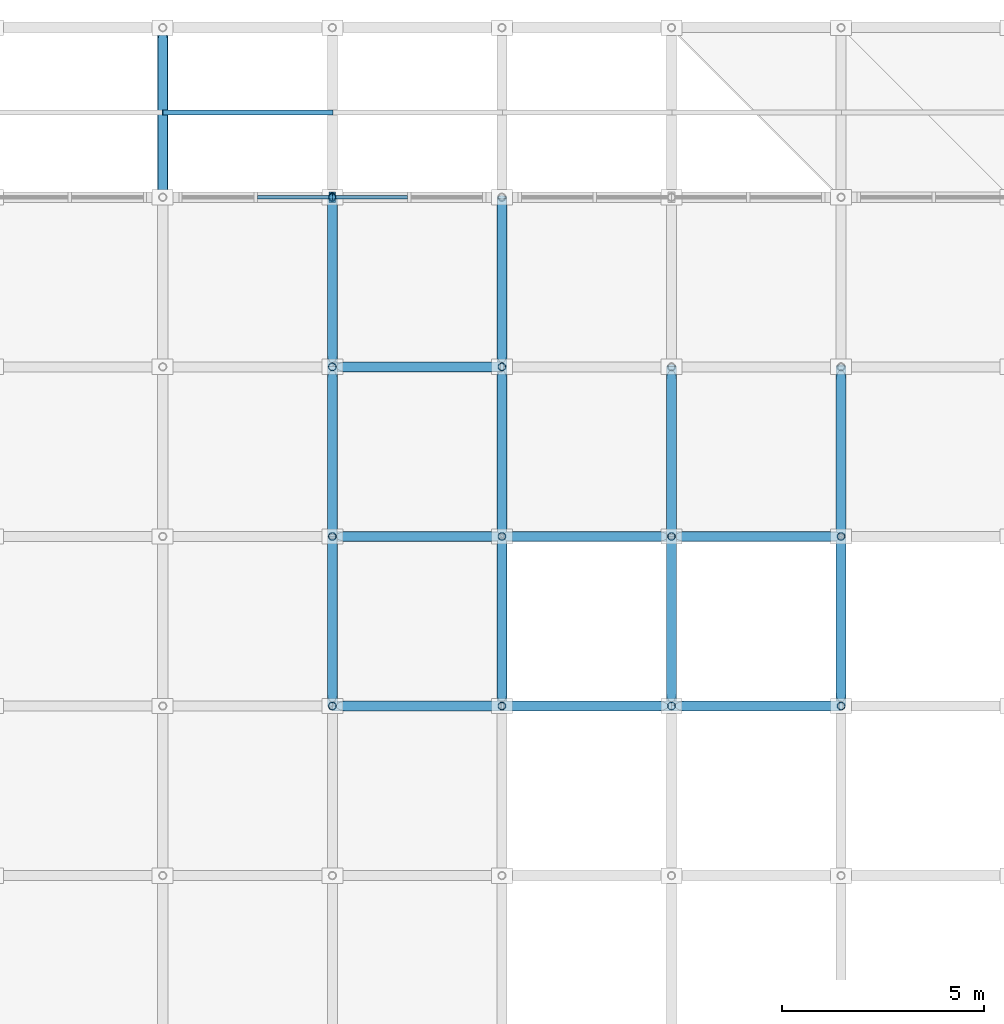
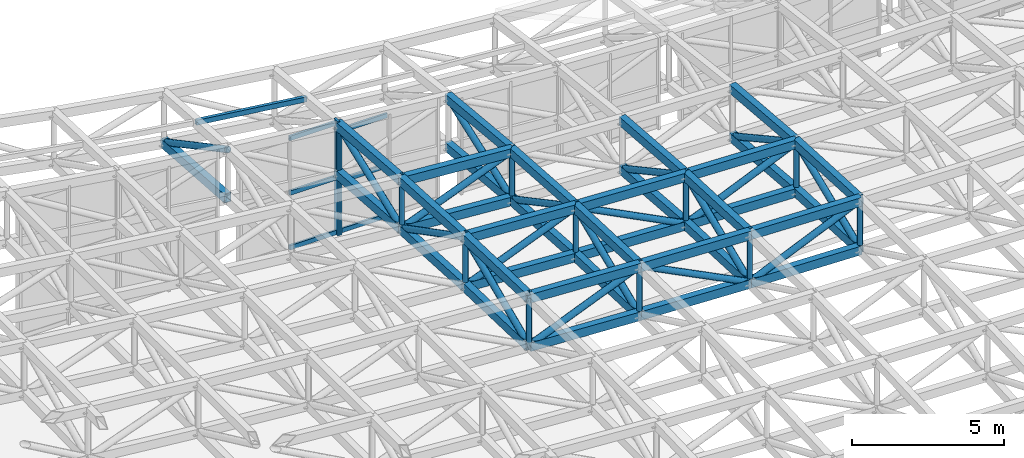
# One storey, part 35 of 111: 73 members, 2 elements without a shape of their own.
"""IFC4 building model written with IfcOpenShell, lengths in metres."""

from ifc_helpers import new_model, si_unit, direction, frame, origin, origin_2d, place, context, subcontext, project, spatial, rectangle, hollow_rectangle, hollow_circle, extrude, material, material_profile, profile_set, type_object, element, aggregate, save


model = new_model("IFC4")

# Units and contexts
model_context = context("Model", 3, precision=1e-05, world=origin(), true_north=direction((0.0, 1.0)))
body_context = subcontext(model_context, "Body", "Model", "MODEL_VIEW")
ifc_project = project(units=[si_unit("LENGTHUNIT", "METRE"), si_unit("AREAUNIT", "SQUARE_METRE"), si_unit("VOLUMEUNIT", "CUBIC_METRE"), si_unit("PLANEANGLEUNIT", "RADIAN"), si_unit("MASSUNIT", "GRAM", prefix="KILO")], contexts=[model_context])

# Site, building, storey
site_placement = place(None, origin())
site = spatial("IfcSite", under=ifc_project, at=site_placement, CompositionType="ELEMENT")
building_placement = place(site_placement, origin())
building = spatial("IfcBuilding", under=site, at=building_placement, Name="Cumbredor Promenade Congress Hotel", CompositionType="ELEMENT")
storey_placement = place(building_placement, frame((0.0, 0.0, 15.1201171875)))
storey = spatial("IfcBuildingStorey", under=building, at=storey_placement, Name="L04", CompositionType="ELEMENT", Elevation=15.1201171875)

# Curtain wall, member
ifc_material_1 = material(Name="Thermally broken anodized aluminium and low-E glass", Category="aluminium")
curtain_wall_type = type_object("IfcCurtainWallType", Name="Stepped Pavilion Clerestory Curtain Wall CW-06", PredefinedType="NOTDEFINED", material=ifc_material_1)
curtain_wall_1_placement = place(storey_placement, origin())
curtain_wall_1 = element("IfcCurtainWall", 1, at=curtain_wall_1_placement, inside=storey, type_object=curtain_wall_type, Name="Pre-Function and Breakout Meeting Forum N Glazed Clerestory 5", PredefinedType="NOTDEFINED")
ifc_material_2 = material(Name="Thermally broken anodized aluminium", Category="aluminium")
ifc_material_profile_1 = material_profile(ifc_material_2, rectangle(XDim=0.0849609375, YDim=0.260009765625, at=origin_2d()), Name="ALU MULLION CLERESTORY 85x260")
ifc_profile_set_1 = profile_set([ifc_material_profile_1], Name="Thermally broken anodized aluminium")
member_type_1 = type_object("IfcMemberType", Name="Curtain Wall Mullion ML-04", PredefinedType="MULLION", material=ifc_profile_set_1)
member_1_placement = place(storey_placement, frame((113.360107421875, 117.60009765625, -0.01806640625), z_axis=(0.0, 0.0, 1.0), x_axis=(1.0, 0.0, 0.0)))
member_1 = element("IfcMember", 2, at=member_1_placement, type_object=member_type_1, Name="Pre-Function and Breakout Meeting Forum N Glazed Clerestory 5 Mullion 3", PredefinedType="MULLION", context=body_context, shape_type="SweptSolid", body=[
    extrude(rectangle(XDim=0.0849609375, YDim=0.260009765625, at=origin_2d()), origin(), (0.0, 0.0, 1.0), 4.600830078125),
])

curtain_wall_2_placement = place(storey_placement, origin())
curtain_wall_2 = element("IfcCurtainWall", 3, at=curtain_wall_2_placement, inside=storey, type_object=curtain_wall_type, Name="Pre-Function and Breakout Meeting Forum N Glazed Clerestory 6", PredefinedType="NOTDEFINED")
member_2_placement = place(storey_placement, frame((113.43994140625, 117.60009765625, -0.01806640625), z_axis=(0.0, 0.0, 1.0), x_axis=(1.0, 0.0, 0.0)))
member_2 = element("IfcMember", 4, at=member_2_placement, type_object=member_type_1, Name="Pre-Function and Breakout Meeting Forum N Glazed Clerestory 6 Mullion 1", PredefinedType="MULLION", context=body_context, shape_type="SweptSolid", body=[
    extrude(rectangle(XDim=0.0849609375, YDim=0.260009765625, at=origin_2d()), origin(), (0.0, 0.0, 1.0), 4.221435546875),
])

# Member
ifc_material_profile_2 = material_profile(ifc_material_2, rectangle(XDim=0.080078125, YDim=0.179931640625, at=origin_2d()), Name="ALU TRANSOM 80x180")
ifc_profile_set_2 = profile_set([ifc_material_profile_2], Name="Thermally broken anodized aluminium")
member_type_2 = type_object("IfcMemberType", Name="Curtain Wall Transom TR-03", PredefinedType="USERDEFINED", material=ifc_profile_set_2)
member_3_placement = place(storey_placement, frame((111.54248046875, 117.60009765625, 0.079833984375), z_axis=(1.0, 0.0, 0.0), x_axis=(0.0, 1.0, 0.0)))
member_3 = element("IfcMember", 5, at=member_3_placement, type_object=member_type_2, Name="Pre-Function and Breakout Meeting Forum N Glazed Clerestory 5 Transom 2.1", ObjectType="TRANSOM", PredefinedType="USERDEFINED", context=body_context, shape_type="SweptSolid", body=[
    extrude(rectangle(XDim=0.080078125, YDim=0.179931640625, at=origin_2d()), origin(), (0.0, 0.0, 1.0), 1.77490234375),
])

member_4_placement = place(storey_placement, frame((111.54248046875, 117.60009765625, 2.27978515625), z_axis=(1.0, 0.0, 0.0), x_axis=(0.0, 1.0, 0.0)))
member_4 = element("IfcMember", 6, at=member_4_placement, type_object=member_type_2, Name="Pre-Function and Breakout Meeting Forum N Glazed Clerestory 5 Transom 2.2", ObjectType="TRANSOM", PredefinedType="USERDEFINED", context=body_context, shape_type="SweptSolid", body=[
    extrude(rectangle(XDim=0.080078125, YDim=0.179931640625, at=origin_2d()), origin(), (0.0, 0.0, 1.0), 1.77490234375),
])

member_5_placement = place(storey_placement, frame((111.54248046875, 117.60009765625, 4.47998046875), z_axis=(1.0, 0.0, 0.0), x_axis=(0.0, 1.0, 0.0)))
member_5 = element("IfcMember", 7, at=member_5_placement, type_object=member_type_2, Name="Pre-Function and Breakout Meeting Forum N Glazed Clerestory 5 Transom 2.3", ObjectType="TRANSOM", PredefinedType="USERDEFINED", context=body_context, shape_type="SweptSolid", body=[
    extrude(rectangle(XDim=0.080078125, YDim=0.179931640625, at=origin_2d()), origin(), (0.0, 0.0, 1.0), 1.77490234375),
])

aggregate(curtain_wall_1, [member_1, member_3, member_4, member_5])

member_6_placement = place(storey_placement, frame((113.482421875, 117.60009765625, 0.079833984375), z_axis=(1.0, 0.0, 0.0), x_axis=(0.0, 1.0, 0.0)))
member_6 = element("IfcMember", 8, at=member_6_placement, type_object=member_type_2, Name="Pre-Function and Breakout Meeting Forum N Glazed Clerestory 6 Transom 1.1", ObjectType="TRANSOM", PredefinedType="USERDEFINED", context=body_context, shape_type="SweptSolid", body=[
    extrude(rectangle(XDim=0.080078125, YDim=0.179931640625, at=origin_2d()), origin(), (0.0, 0.0, 1.0), 1.775146484375),
])

member_7_placement = place(storey_placement, frame((113.482421875, 117.60009765625, 2.08984375), z_axis=(1.0, 0.0, 0.0), x_axis=(0.0, 1.0, 0.0)))
member_7 = element("IfcMember", 9, at=member_7_placement, type_object=member_type_2, Name="Pre-Function and Breakout Meeting Forum N Glazed Clerestory 6 Transom 1.2", ObjectType="TRANSOM", PredefinedType="USERDEFINED", context=body_context, shape_type="SweptSolid", body=[
    extrude(rectangle(XDim=0.080078125, YDim=0.179931640625, at=origin_2d()), origin(), (0.0, 0.0, 1.0), 1.775146484375),
])

member_8_placement = place(storey_placement, frame((113.482421875, 117.60009765625, 4.10986328125), z_axis=(1.0, 0.0, 0.0), x_axis=(0.0, 1.0, 0.0)))
member_8 = element("IfcMember", 10, at=member_8_placement, type_object=member_type_2, Name="Pre-Function and Breakout Meeting Forum N Glazed Clerestory 6 Transom 1.3", ObjectType="TRANSOM", PredefinedType="USERDEFINED", context=body_context, shape_type="SweptSolid", body=[
    extrude(rectangle(XDim=0.080078125, YDim=0.179931640625, at=origin_2d()), origin(), (0.0, 0.0, 1.0), 1.775146484375),
])

aggregate(curtain_wall_2, [member_2, member_6, member_7, member_8])

# Members
ifc_material_3 = material(Name="Steel ASTM A500 Grade C", Category="steel")
ifc_material_profile_3 = material_profile(ifc_material_3, hollow_rectangle(XDim=0.25, YDim=0.35009765625, WallThickness=0.01611328125, at=origin_2d()), Name="HSS 350x250x16")
ifc_profile_set_3 = profile_set([ifc_material_profile_3], Name="Steel ASTM A500 Grade C")
member_type_3 = type_object("IfcMemberType", Name="Forum Roof Truss Chord", PredefinedType="CHORD", material=ifc_profile_set_3)
for number, where, z_axis, x_axis, name in (
    (11, (113.39990234375, 105.0, 5.078369140625), (0.998643525423, 0.0, -0.052068312154), (0.0, 1.0, 0.0), "Pre-Function and Breakout Meeting Forum X Top Chord 7.7"),
    (12, (113.39990234375, 105.0, 3.12841796875), (0.998643525423, 0.0, -0.052068312154), (0.0, 1.0, 0.0), "Pre-Function and Breakout Meeting Forum X Bottom Chord 7.7"),
):
    element("IfcMember", number, at=place(storey_placement, frame(where, z_axis=z_axis, x_axis=x_axis)), inside=storey, type_object=member_type_3, Name=name, PredefinedType="CHORD", context=body_context, shape_type="SweptSolid", body=[
        extrude(hollow_rectangle(XDim=0.25, YDim=0.35009765625, WallThickness=0.01611328125, at=origin_2d()), origin(), (0.0, 0.0, 1.0), 4.205810546875),
    ])
for number, where, z_axis, x_axis, name in (
    (13, (117.60009765625, 105.0, 4.859375), (0.999182576071, 0.0, -0.040424988255), (0.0, 1.0, 0.0), "Pre-Function and Breakout Meeting Forum X Top Chord 8.7"),
    (14, (117.60009765625, 105.0, 2.909423828125), (0.999182576071, 0.0, -0.040424988255), (0.0, 1.0, 0.0), "Pre-Function and Breakout Meeting Forum X Bottom Chord 8.7"),
):
    element("IfcMember", number, at=place(storey_placement, frame(where, z_axis=z_axis, x_axis=x_axis)), inside=storey, type_object=member_type_3, Name=name, PredefinedType="CHORD", context=body_context, shape_type="SweptSolid", body=[
        extrude(hollow_rectangle(XDim=0.25, YDim=0.35009765625, WallThickness=0.01611328125, at=origin_2d()), origin(), (0.0, 0.0, 1.0), 4.203369140625),
    ])
for number, where, z_axis, x_axis, name in (
    (15, (121.800048828125, 105.0, 4.689453125), (0.999579574773, 0.0, -0.028994373529), (0.0, 1.0, 0.0), "Pre-Function and Breakout Meeting Forum X Top Chord 9.7"),
    (16, (121.800048828125, 105.0, 2.739501953125), (0.999579574773, 0.0, -0.028994373529), (0.0, 1.0, 0.0), "Pre-Function and Breakout Meeting Forum X Bottom Chord 9.7"),
):
    element("IfcMember", number, at=place(storey_placement, frame(where, z_axis=z_axis, x_axis=x_axis)), inside=storey, type_object=member_type_3, Name=name, PredefinedType="CHORD", context=body_context, shape_type="SweptSolid", body=[
        extrude(hollow_rectangle(XDim=0.25, YDim=0.35009765625, WallThickness=0.01611328125, at=origin_2d()), origin(), (0.0, 0.0, 1.0), 4.20166015625),
    ])
for number, where, z_axis, x_axis, name in (
    (17, (113.39990234375, 109.199951171875, 4.93896484375), (0.998219523348, 0.0, -0.059647155894), (0.0, 1.0, 0.0), "Pre-Function and Breakout Meeting Forum X Top Chord 7.8"),
    (18, (113.39990234375, 109.199951171875, 2.989013671875), (0.998219523348, 0.0, -0.059647155894), (0.0, 1.0, 0.0), "Pre-Function and Breakout Meeting Forum X Bottom Chord 7.8"),
):
    element("IfcMember", number, at=place(storey_placement, frame(where, z_axis=z_axis, x_axis=x_axis)), inside=storey, type_object=member_type_3, Name=name, PredefinedType="CHORD", context=body_context, shape_type="SweptSolid", body=[
        extrude(hollow_rectangle(XDim=0.25, YDim=0.35009765625, WallThickness=0.01611328125, at=origin_2d()), origin(), (0.0, 0.0, 1.0), 4.207763671875),
    ])
for number, where, z_axis, x_axis, name in (
    (19, (117.60009765625, 109.199951171875, 4.68798828125), (0.998923154887, 0.0, -0.046395372944), (0.0, 1.0, 0.0), "Pre-Function and Breakout Meeting Forum X Top Chord 8.8"),
    (20, (117.60009765625, 109.199951171875, 2.738037109375), (0.998923154887, 0.0, -0.046395372944), (0.0, 1.0, 0.0), "Pre-Function and Breakout Meeting Forum X Bottom Chord 8.8"),
):
    element("IfcMember", number, at=place(storey_placement, frame(where, z_axis=z_axis, x_axis=x_axis)), inside=storey, type_object=member_type_3, Name=name, PredefinedType="CHORD", context=body_context, shape_type="SweptSolid", body=[
        extrude(hollow_rectangle(XDim=0.25, YDim=0.35009765625, WallThickness=0.01611328125, at=origin_2d()), origin(), (0.0, 0.0, 1.0), 4.20458984375),
    ])
for number, where, z_axis, x_axis, name in (
    (21, (121.800048828125, 109.199951171875, 4.492919921875), (0.999447676196, 0.0, -0.033231649758), (0.0, 1.0, 0.0), "Pre-Function and Breakout Meeting Forum X Top Chord 9.8"),
    (22, (121.800048828125, 109.199951171875, 2.54296875), (0.999447676196, 0.0, -0.033231649758), (0.0, 1.0, 0.0), "Pre-Function and Breakout Meeting Forum X Bottom Chord 9.8"),
):
    element("IfcMember", number, at=place(storey_placement, frame(where, z_axis=z_axis, x_axis=x_axis)), inside=storey, type_object=member_type_3, Name=name, PredefinedType="CHORD", context=body_context, shape_type="SweptSolid", body=[
        extrude(hollow_rectangle(XDim=0.25, YDim=0.35009765625, WallThickness=0.01611328125, at=origin_2d()), origin(), (0.0, 0.0, 1.0), 4.202392578125),
    ])
for number, where, z_axis, x_axis, name in (
    (23, (113.39990234375, 113.39990234375, 4.706787109375), (0.997383402776, 0.0, -0.072293484263), (0.0, 1.0, 0.0), "Pre-Function and Breakout Meeting Forum X Top Chord 7.9"),
    (24, (113.39990234375, 113.39990234375, 2.7568359375), (0.997383402776, 0.0, -0.072293484263), (0.0, 1.0, 0.0), "Pre-Function and Breakout Meeting Forum X Bottom Chord 7.9"),
):
    element("IfcMember", number, at=place(storey_placement, frame(where, z_axis=z_axis, x_axis=x_axis)), inside=storey, type_object=member_type_3, Name=name, PredefinedType="CHORD", context=body_context, shape_type="SweptSolid", body=[
        extrude(hollow_rectangle(XDim=0.25, YDim=0.35009765625, WallThickness=0.01611328125, at=origin_2d()), origin(), (0.0, 0.0, 1.0), 4.211181640625),
    ])
member_9_placement = place(storey_placement, frame((109.199951171875, 117.60009765625, 2.895263671875), z_axis=(0.0, 0.997486584501, -0.070855583692), x_axis=(-1.0, 0.0, 0.0)))
element("IfcMember", 25, at=member_9_placement, inside=storey, type_object=member_type_3, Name="Pre-Function and Breakout Meeting Forum Y Bottom Chord 6.10", PredefinedType="CHORD", context=body_context, shape_type="SweptSolid", body=[
    extrude(hollow_rectangle(XDim=0.25, YDim=0.35009765625, WallThickness=0.01611328125, at=origin_2d()), origin(), (0.0, 0.0, 1.0), 4.21044921875),
])
for number, where, z_axis, x_axis, name in (
    (26, (113.39990234375, 105.0, 5.078369140625), (0.0, 0.999449604118, -0.033173616459), (-1.0, 0.0, 0.0), "Pre-Function and Breakout Meeting Forum Y Top Chord 7.7"),
    (27, (113.39990234375, 105.0, 3.12841796875), (0.0, 0.999449604118, -0.033173616459), (-1.0, 0.0, 0.0), "Pre-Function and Breakout Meeting Forum Y Bottom Chord 7.7"),
):
    element("IfcMember", number, at=place(storey_placement, frame(where, z_axis=z_axis, x_axis=x_axis)), inside=storey, type_object=member_type_3, Name=name, PredefinedType="CHORD", context=body_context, shape_type="SweptSolid", body=[
        extrude(hollow_rectangle(XDim=0.25, YDim=0.35009765625, WallThickness=0.01611328125, at=origin_2d()), origin(), (0.0, 0.0, 1.0), 4.2021484375),
    ])
for number, where, z_axis, x_axis, name in (
    (28, (113.39990234375, 109.199951171875, 4.93896484375), (0.0, 0.998475495714, -0.055196779424), (-1.0, 0.0, 0.0), "Pre-Function and Breakout Meeting Forum Y Top Chord 7.8"),
    (29, (113.39990234375, 109.199951171875, 2.989013671875), (0.0, 0.998475495714, -0.055196779424), (-1.0, 0.0, 0.0), "Pre-Function and Breakout Meeting Forum Y Bottom Chord 7.8"),
):
    element("IfcMember", number, at=place(storey_placement, frame(where, z_axis=z_axis, x_axis=x_axis)), inside=storey, type_object=member_type_3, Name=name, PredefinedType="CHORD", context=body_context, shape_type="SweptSolid", body=[
        extrude(hollow_rectangle(XDim=0.25, YDim=0.35009765625, WallThickness=0.01611328125, at=origin_2d()), origin(), (0.0, 0.0, 1.0), 4.206298828125),
    ])
for number, where, z_axis, x_axis, name in (
    (30, (113.39990234375, 113.39990234375, 4.706787109375), (0.0, 0.997020639966, -0.07713522854), (-1.0, 0.0, 0.0), "Pre-Function and Breakout Meeting Forum Y Top Chord 7.9"),
    (31, (113.39990234375, 113.39990234375, 2.7568359375), (0.0, 0.997020639966, -0.07713522854), (-1.0, 0.0, 0.0), "Pre-Function and Breakout Meeting Forum Y Bottom Chord 7.9"),
):
    element("IfcMember", number, at=place(storey_placement, frame(where, z_axis=z_axis, x_axis=x_axis)), inside=storey, type_object=member_type_3, Name=name, PredefinedType="CHORD", context=body_context, shape_type="SweptSolid", body=[
        extrude(hollow_rectangle(XDim=0.25, YDim=0.35009765625, WallThickness=0.01611328125, at=origin_2d()), origin(), (0.0, 0.0, 1.0), 4.212646484375),
    ])
for number, where, z_axis, x_axis, name in (
    (32, (117.60009765625, 105.0, 4.859375), (0.0, 0.999168439458, -0.040772902662), (-1.0, 0.0, 0.0), "Pre-Function and Breakout Meeting Forum Y Top Chord 8.7"),
    (33, (117.60009765625, 105.0, 2.909423828125), (0.0, 0.999168439458, -0.040772902662), (-1.0, 0.0, 0.0), "Pre-Function and Breakout Meeting Forum Y Bottom Chord 8.7"),
):
    element("IfcMember", number, at=place(storey_placement, frame(where, z_axis=z_axis, x_axis=x_axis)), inside=storey, type_object=member_type_3, Name=name, PredefinedType="CHORD", context=body_context, shape_type="SweptSolid", body=[
        extrude(hollow_rectangle(XDim=0.25, YDim=0.35009765625, WallThickness=0.01611328125, at=origin_2d()), origin(), (0.0, 0.0, 1.0), 4.203369140625),
    ])
for number, where, z_axis, x_axis, name in (
    (34, (117.60009765625, 109.199951171875, 4.68798828125), (0.0, 0.997695217775, -0.067854641911), (-1.0, 0.0, 0.0), "Pre-Function and Breakout Meeting Forum Y Top Chord 8.8"),
    (35, (117.60009765625, 109.199951171875, 2.738037109375), (0.0, 0.997695217775, -0.067854641911), (-1.0, 0.0, 0.0), "Pre-Function and Breakout Meeting Forum Y Bottom Chord 8.8"),
):
    element("IfcMember", number, at=place(storey_placement, frame(where, z_axis=z_axis, x_axis=x_axis)), inside=storey, type_object=member_type_3, Name=name, PredefinedType="CHORD", context=body_context, shape_type="SweptSolid", body=[
        extrude(hollow_rectangle(XDim=0.25, YDim=0.35009765625, WallThickness=0.01611328125, at=origin_2d()), origin(), (0.0, 0.0, 1.0), 4.209716796875),
    ])
for number, where, z_axis, x_axis, name in (
    (36, (117.60009765625, 113.39990234375, 4.40234375), (0.0, 0.995498072864, -0.094781785826), (-1.0, 0.0, 0.0), "Pre-Function and Breakout Meeting Forum Y Top Chord 8.9"),
    (37, (117.60009765625, 113.39990234375, 2.452392578125), (0.0, 0.995498072864, -0.094781785826), (-1.0, 0.0, 0.0), "Pre-Function and Breakout Meeting Forum Y Bottom Chord 8.9"),
):
    element("IfcMember", number, at=place(storey_placement, frame(where, z_axis=z_axis, x_axis=x_axis)), inside=storey, type_object=member_type_3, Name=name, PredefinedType="CHORD", context=body_context, shape_type="SweptSolid", body=[
        extrude(hollow_rectangle(XDim=0.25, YDim=0.35009765625, WallThickness=0.01611328125, at=origin_2d()), origin(), (0.0, 0.0, 1.0), 4.21923828125),
    ])
for number, where, z_axis, x_axis, name in (
    (38, (121.800048828125, 105.0, 4.689453125), (0.0, 0.998906947877, -0.046743015349), (-1.0, 0.0, 0.0), "Pre-Function and Breakout Meeting Forum Y Top Chord 9.7"),
    (39, (121.800048828125, 105.0, 2.739501953125), (0.0, 0.998906947877, -0.046743015349), (-1.0, 0.0, 0.0), "Pre-Function and Breakout Meeting Forum Y Bottom Chord 9.7"),
):
    element("IfcMember", number, at=place(storey_placement, frame(where, z_axis=z_axis, x_axis=x_axis)), inside=storey, type_object=member_type_3, Name=name, PredefinedType="CHORD", context=body_context, shape_type="SweptSolid", body=[
        extrude(hollow_rectangle(XDim=0.25, YDim=0.35009765625, WallThickness=0.01611328125, at=origin_2d()), origin(), (0.0, 0.0, 1.0), 4.20458984375),
    ])
for number, where, z_axis, x_axis, name in (
    (40, (121.800048828125, 109.199951171875, 4.492919921875), (0.0, 0.996975556685, -0.07771576013), (-1.0, 0.0, 0.0), "Pre-Function and Breakout Meeting Forum Y Top Chord 9.8"),
    (41, (121.800048828125, 109.199951171875, 2.54296875), (0.0, 0.996975556685, -0.07771576013), (-1.0, 0.0, 0.0), "Pre-Function and Breakout Meeting Forum Y Bottom Chord 9.8"),
):
    element("IfcMember", number, at=place(storey_placement, frame(where, z_axis=z_axis, x_axis=x_axis)), inside=storey, type_object=member_type_3, Name=name, PredefinedType="CHORD", context=body_context, shape_type="SweptSolid", body=[
        extrude(hollow_rectangle(XDim=0.25, YDim=0.35009765625, WallThickness=0.01611328125, at=origin_2d()), origin(), (0.0, 0.0, 1.0), 4.212646484375),
    ])
for number, where, z_axis, x_axis, name in (
    (42, (126.0, 105.0, 4.567626953125), (0.0, 0.998700120129, -0.050971266958), (-1.0, 0.0, 0.0), "Pre-Function and Breakout Meeting Forum Y Top Chord 10.7"),
    (43, (126.0, 105.0, 2.61767578125), (0.0, 0.998700120129, -0.050971266958), (-1.0, 0.0, 0.0), "Pre-Function and Breakout Meeting Forum Y Bottom Chord 10.7"),
):
    element("IfcMember", number, at=place(storey_placement, frame(where, z_axis=z_axis, x_axis=x_axis)), inside=storey, type_object=member_type_3, Name=name, PredefinedType="CHORD", context=body_context, shape_type="SweptSolid", body=[
        extrude(hollow_rectangle(XDim=0.25, YDim=0.35009765625, WallThickness=0.01611328125, at=origin_2d()), origin(), (0.0, 0.0, 1.0), 4.205322265625),
    ])
for number, where, z_axis, x_axis, name in (
    (44, (126.0, 109.199951171875, 4.353271484375), (0.0, 0.9964033157, -0.084737432475), (-1.0, 0.0, 0.0), "Pre-Function and Breakout Meeting Forum Y Top Chord 10.8"),
    (45, (126.0, 109.199951171875, 2.4033203125), (0.0, 0.9964033157, -0.084737432475), (-1.0, 0.0, 0.0), "Pre-Function and Breakout Meeting Forum Y Bottom Chord 10.8"),
):
    element("IfcMember", number, at=place(storey_placement, frame(where, z_axis=z_axis, x_axis=x_axis)), inside=storey, type_object=member_type_3, Name=name, PredefinedType="CHORD", context=body_context, shape_type="SweptSolid", body=[
        extrude(hollow_rectangle(XDim=0.25, YDim=0.35009765625, WallThickness=0.01611328125, at=origin_2d()), origin(), (0.0, 0.0, 1.0), 4.215087890625),
    ])
ifc_material_profile_4 = material_profile(ifc_material_3, hollow_rectangle(XDim=0.1201171875, YDim=0.199951171875, WallThickness=0.010009765625, at=origin_2d()), Name="HSS 200x120x10")
ifc_profile_set_4 = profile_set([ifc_material_profile_4], Name="Steel ASTM A500 Grade C")
member_type_4 = type_object("IfcMemberType", Name="Roof Purlin HSS200x120", PredefinedType="PURLIN", material=ifc_profile_set_4)
member_10_placement = place(storey_placement, frame((109.199951171875, 119.699951171875, 4.67626953125), z_axis=(0.992344292741, 0.0, -0.123502245583), x_axis=(0.0, 1.0, 0.0)))
element("IfcMember", 46, at=member_10_placement, inside=storey, type_object=member_type_4, Name="Pre-Function and Breakout Meeting Forum Roof Eave Purlin 6.10", PredefinedType="PURLIN", context=body_context, shape_type="SweptSolid", body=[
    extrude(hollow_rectangle(XDim=0.1201171875, YDim=0.199951171875, WallThickness=0.010009765625, at=origin_2d()), origin(), (0.0, 0.0, 1.0), 4.232421875),
])
ifc_material_profile_5 = material_profile(ifc_material_3, hollow_circle(Radius=0.122314453125, WallThickness=0.012451171875, at=origin_2d()), Name="CHS 244.5x12.5")
ifc_profile_set_5 = profile_set([ifc_material_profile_5], Name="Steel ASTM A500 Grade C")
member_type_5 = type_object("IfcMemberType", Name="Space Frame Web Diagonal D2", PredefinedType="BRACE", material=ifc_profile_set_5)
member_11_placement = place(storey_placement, frame((113.39990234375, 105.0, 3.12841796875), z_axis=(0.924564532949, 0.0, 0.381025490503), x_axis=(0.0, 1.0, 0.0)))
element("IfcMember", 47, at=member_11_placement, inside=storey, type_object=member_type_5, Name="Pre-Function and Breakout Meeting Forum X Web Diagonal 7.7", PredefinedType="BRACE", context=body_context, shape_type="SweptSolid", body=[
    extrude(hollow_circle(Radius=0.122314453125, WallThickness=0.012451171875, at=origin_2d()), origin(), (0.0, 0.0, 1.0), 4.54296875),
])
member_12_placement = place(storey_placement, frame((117.60009765625, 105.0, 4.859375), z_axis=(0.892729053499, 0.0, -0.450593871507), x_axis=(0.0, 1.0, 0.0)))
element("IfcMember", 48, at=member_12_placement, inside=storey, type_object=member_type_5, Name="Pre-Function and Breakout Meeting Forum X Web Diagonal 8.7", PredefinedType="BRACE", context=body_context, shape_type="SweptSolid", body=[
    extrude(hollow_circle(Radius=0.122314453125, WallThickness=0.012451171875, at=origin_2d()), origin(), (0.0, 0.0, 1.0), 4.70458984375),
])
member_13_placement = place(storey_placement, frame((121.800048828125, 105.0, 2.739501953125), z_axis=(0.916905589781, 0.0, 0.399104171149), x_axis=(0.0, 1.0, 0.0)))
element("IfcMember", 49, at=member_13_placement, inside=storey, type_object=member_type_5, Name="Pre-Function and Breakout Meeting Forum X Web Diagonal 9.7", PredefinedType="BRACE", context=body_context, shape_type="SweptSolid", body=[
    extrude(hollow_circle(Radius=0.122314453125, WallThickness=0.012451171875, at=origin_2d()), origin(), (0.0, 0.0, 1.0), 4.58056640625),
])
member_14_placement = place(storey_placement, frame((113.39990234375, 109.199951171875, 2.989013671875), z_axis=(0.927031566681, 0.0, 0.374983298799), x_axis=(0.0, 1.0, 0.0)))
element("IfcMember", 50, at=member_14_placement, inside=storey, type_object=member_type_5, Name="Pre-Function and Breakout Meeting Forum X Web Diagonal 7.8", PredefinedType="BRACE", context=body_context, shape_type="SweptSolid", body=[
    extrude(hollow_circle(Radius=0.122314453125, WallThickness=0.012451171875, at=origin_2d()), origin(), (0.0, 0.0, 1.0), 4.53076171875),
])
member_15_placement = place(storey_placement, frame((117.60009765625, 109.199951171875, 4.68798828125), z_axis=(0.890574034395, 0.0, -0.45483831112), x_axis=(0.0, 1.0, 0.0)))
element("IfcMember", 51, at=member_15_placement, inside=storey, type_object=member_type_5, Name="Pre-Function and Breakout Meeting Forum X Web Diagonal 8.8", PredefinedType="BRACE", context=body_context, shape_type="SweptSolid", body=[
    extrude(hollow_circle(Radius=0.122314453125, WallThickness=0.012451171875, at=origin_2d()), origin(), (0.0, 0.0, 1.0), 4.716064453125),
])
member_16_placement = place(storey_placement, frame((121.800048828125, 109.199951171875, 2.54296875), z_axis=(0.918325759137, 0.0, 0.395825466721), x_axis=(0.0, 1.0, 0.0)))
element("IfcMember", 52, at=member_16_placement, inside=storey, type_object=member_type_5, Name="Pre-Function and Breakout Meeting Forum X Web Diagonal 9.8", PredefinedType="BRACE", context=body_context, shape_type="SweptSolid", body=[
    extrude(hollow_circle(Radius=0.122314453125, WallThickness=0.012451171875, at=origin_2d()), origin(), (0.0, 0.0, 1.0), 4.573486328125),
])
member_17_placement = place(storey_placement, frame((113.39990234375, 113.39990234375, 2.7568359375), z_axis=(0.931095779105, 0.0, 0.36477479372), x_axis=(0.0, 1.0, 0.0)))
element("IfcMember", 53, at=member_17_placement, inside=storey, type_object=member_type_5, Name="Pre-Function and Breakout Meeting Forum X Web Diagonal 7.9", PredefinedType="BRACE", context=body_context, shape_type="SweptSolid", body=[
    extrude(hollow_circle(Radius=0.122314453125, WallThickness=0.012451171875, at=origin_2d()), origin(), (0.0, 0.0, 1.0), 4.510986328125),
])
member_18_placement = place(storey_placement, frame((109.199951171875, 117.60009765625, 4.845458984375), z_axis=(0.0, 0.881605644277, -0.471986745555), x_axis=(-1.0, 0.0, 0.0)))
element("IfcMember", 54, at=member_18_placement, inside=storey, type_object=member_type_5, Name="Pre-Function and Breakout Meeting Forum Y Web Diagonal 6.10", PredefinedType="BRACE", context=body_context, shape_type="SweptSolid", body=[
    extrude(hollow_circle(Radius=0.122314453125, WallThickness=0.012451171875, at=origin_2d()), origin(), (0.0, 0.0, 1.0), 4.763916015625),
])
member_19_placement = place(storey_placement, frame((113.39990234375, 105.0, 3.12841796875), z_axis=(0.0, 0.918306354363, 0.395870483285), x_axis=(-1.0, 0.0, 0.0)))
element("IfcMember", 55, at=member_19_placement, inside=storey, type_object=member_type_5, Name="Pre-Function and Breakout Meeting Forum Y Web Diagonal 7.7", PredefinedType="BRACE", context=body_context, shape_type="SweptSolid", body=[
    extrude(hollow_circle(Radius=0.122314453125, WallThickness=0.012451171875, at=origin_2d()), origin(), (0.0, 0.0, 1.0), 4.573486328125),
])
member_20_placement = place(storey_placement, frame((113.39990234375, 109.199951171875, 4.93896484375), z_axis=(0.0, 0.887376368507, -0.461045746772), x_axis=(-1.0, 0.0, 0.0)))
element("IfcMember", 56, at=member_20_placement, inside=storey, type_object=member_type_5, Name="Pre-Function and Breakout Meeting Forum Y Web Diagonal 7.8", PredefinedType="BRACE", context=body_context, shape_type="SweptSolid", body=[
    extrude(hollow_circle(Radius=0.122314453125, WallThickness=0.012451171875, at=origin_2d()), origin(), (0.0, 0.0, 1.0), 4.73291015625),
])
member_21_placement = place(storey_placement, frame((113.39990234375, 113.39990234375, 2.7568359375), z_axis=(0.0, 0.932634018143, 0.360823763355), x_axis=(-1.0, 0.0, 0.0)))
element("IfcMember", 57, at=member_21_placement, inside=storey, type_object=member_type_5, Name="Pre-Function and Breakout Meeting Forum Y Web Diagonal 7.9", PredefinedType="BRACE", context=body_context, shape_type="SweptSolid", body=[
    extrude(hollow_circle(Radius=0.122314453125, WallThickness=0.012451171875, at=origin_2d()), origin(), (0.0, 0.0, 1.0), 4.503662109375),
])
member_22_placement = place(storey_placement, frame((117.60009765625, 105.0, 2.909423828125), z_axis=(0.0, 0.920836435886, 0.389949045831), x_axis=(-1.0, 0.0, 0.0)))
element("IfcMember", 58, at=member_22_placement, inside=storey, type_object=member_type_5, Name="Pre-Function and Breakout Meeting Forum Y Web Diagonal 8.7", PredefinedType="BRACE", context=body_context, shape_type="SweptSolid", body=[
    extrude(hollow_circle(Radius=0.122314453125, WallThickness=0.012451171875, at=origin_2d()), origin(), (0.0, 0.0, 1.0), 4.56103515625),
])
member_23_placement = place(storey_placement, frame((117.60009765625, 109.199951171875, 4.68798828125), z_axis=(0.0, 0.882734744534, -0.469871653531), x_axis=(-1.0, 0.0, 0.0)))
element("IfcMember", 59, at=member_23_placement, inside=storey, type_object=member_type_5, Name="Pre-Function and Breakout Meeting Forum Y Web Diagonal 8.8", PredefinedType="BRACE", context=body_context, shape_type="SweptSolid", body=[
    extrude(hollow_circle(Radius=0.122314453125, WallThickness=0.012451171875, at=origin_2d()), origin(), (0.0, 0.0, 1.0), 4.7578125),
])
member_24_placement = place(storey_placement, frame((117.60009765625, 113.39990234375, 2.452392578125), z_axis=(0.0, 0.93815397959, 0.346218299024), x_axis=(-1.0, 0.0, 0.0)))
element("IfcMember", 60, at=member_24_placement, inside=storey, type_object=member_type_5, Name="Pre-Function and Breakout Meeting Forum Y Web Diagonal 8.9", PredefinedType="BRACE", context=body_context, shape_type="SweptSolid", body=[
    extrude(hollow_circle(Radius=0.122314453125, WallThickness=0.012451171875, at=origin_2d()), origin(), (0.0, 0.0, 1.0), 4.47705078125),
])
member_25_placement = place(storey_placement, frame((121.800048828125, 105.0, 2.739501953125), z_axis=(0.0, 0.922808487132, 0.385258998697), x_axis=(-1.0, 0.0, 0.0)))
element("IfcMember", 61, at=member_25_placement, inside=storey, type_object=member_type_5, Name="Pre-Function and Breakout Meeting Forum Y Web Diagonal 9.7", PredefinedType="BRACE", context=body_context, shape_type="SweptSolid", body=[
    extrude(hollow_circle(Radius=0.122314453125, WallThickness=0.012451171875, at=origin_2d()), origin(), (0.0, 0.0, 1.0), 4.55126953125),
])
member_26_placement = place(storey_placement, frame((121.800048828125, 109.199951171875, 4.492919921875), z_axis=(0.0, 0.879084119381, -0.476666666604), x_axis=(-1.0, 0.0, 0.0)))
element("IfcMember", 62, at=member_26_placement, inside=storey, type_object=member_type_5, Name="Pre-Function and Breakout Meeting Forum Y Web Diagonal 9.8", PredefinedType="BRACE", context=body_context, shape_type="SweptSolid", body=[
    extrude(hollow_circle(Radius=0.122314453125, WallThickness=0.012451171875, at=origin_2d()), origin(), (0.0, 0.0, 1.0), 4.777587890625),
])
member_27_placement = place(storey_placement, frame((126.0, 105.0, 2.61767578125), z_axis=(0.0, 0.92419671572, 0.381916784983), x_axis=(-1.0, 0.0, 0.0)))
element("IfcMember", 63, at=member_27_placement, inside=storey, type_object=member_type_5, Name="Pre-Function and Breakout Meeting Forum Y Web Diagonal 10.7", PredefinedType="BRACE", context=body_context, shape_type="SweptSolid", body=[
    extrude(hollow_circle(Radius=0.122314453125, WallThickness=0.012451171875, at=origin_2d()), origin(), (0.0, 0.0, 1.0), 4.54443359375),
])
member_28_placement = place(storey_placement, frame((126.0, 109.199951171875, 4.353271484375), z_axis=(0.0, 0.876466425327, -0.481462984325), x_axis=(-1.0, 0.0, 0.0)))
element("IfcMember", 64, at=member_28_placement, inside=storey, type_object=member_type_5, Name="Pre-Function and Breakout Meeting Forum Y Web Diagonal 10.8", PredefinedType="BRACE", context=body_context, shape_type="SweptSolid", body=[
    extrude(hollow_circle(Radius=0.122314453125, WallThickness=0.012451171875, at=origin_2d()), origin(), (0.0, 0.0, 1.0), 4.7919921875),
])
ifc_material_profile_6 = material_profile(ifc_material_3, hollow_circle(Radius=0.096923828125, WallThickness=0.010009765625, at=origin_2d()), Name="CHS 193.7x10")
ifc_profile_set_6 = profile_set([ifc_material_profile_6], Name="Steel ASTM A500 Grade C")
member_type_6 = type_object("IfcMemberType", Name="Space Frame Web Post P1", PredefinedType="BRACE", material=ifc_profile_set_6)
for number, where, z_axis, x_axis, name in (
    (65, (113.39990234375, 105.0, 3.12841796875), (0.0, 0.0, 1.0), (1.0, 0.0, 0.0), "Pre-Function and Breakout Meeting Forum Space Frame Web Post 7.7"),
    (66, (113.39990234375, 109.199951171875, 2.989013671875), (0.0, 0.0, 1.0), (1.0, 0.0, 0.0), "Pre-Function and Breakout Meeting Forum Space Frame Web Post 7.8"),
    (67, (113.39990234375, 113.39990234375, 2.7568359375), (0.0, 0.0, 1.0), (1.0, 0.0, 0.0), "Pre-Function and Breakout Meeting Forum Space Frame Web Post 7.9"),
    (68, (113.39990234375, 117.60009765625, 2.431884765625), (0.0, 0.0, 1.0), (1.0, 0.0, 0.0), "Pre-Function and Breakout Meeting Forum Space Frame Web Post 7.10"),
    (69, (117.60009765625, 105.0, 2.909423828125), (0.0, 0.0, 1.0), (1.0, 0.0, 0.0), "Pre-Function and Breakout Meeting Forum Space Frame Web Post 8.7"),
    (70, (117.60009765625, 109.199951171875, 2.738037109375), (0.0, 0.0, 1.0), (1.0, 0.0, 0.0), "Pre-Function and Breakout Meeting Forum Space Frame Web Post 8.8"),
    (71, (117.60009765625, 113.39990234375, 2.452392578125), (0.0, 0.0, 1.0), (1.0, 0.0, 0.0), "Pre-Function and Breakout Meeting Forum Space Frame Web Post 8.9"),
    (72, (121.800048828125, 105.0, 2.739501953125), (0.0, 0.0, 1.0), (1.0, 0.0, 0.0), "Pre-Function and Breakout Meeting Forum Space Frame Web Post 9.7"),
    (73, (121.800048828125, 109.199951171875, 2.54296875), (0.0, 0.0, 1.0), (1.0, 0.0, 0.0), "Pre-Function and Breakout Meeting Forum Space Frame Web Post 9.8"),
    (74, (126.0, 105.0, 2.61767578125), (0.0, 0.0, 1.0), (1.0, 0.0, 0.0), "Pre-Function and Breakout Meeting Forum Space Frame Web Post 10.7"),
    (75, (126.0, 109.199951171875, 2.4033203125), (0.0, 0.0, 1.0), (1.0, 0.0, 0.0), "Pre-Function and Breakout Meeting Forum Space Frame Web Post 10.8"),
):
    element("IfcMember", number, at=place(storey_placement, frame(where, z_axis=z_axis, x_axis=x_axis)), inside=storey, type_object=member_type_6, Name=name, PredefinedType="BRACE", context=body_context, shape_type="SweptSolid", body=[
        extrude(hollow_circle(Radius=0.096923828125, WallThickness=0.010009765625, at=origin_2d()), origin(), (0.0, 0.0, 1.0), 1.949951171875),
    ])

save(model, "model.ifc")
